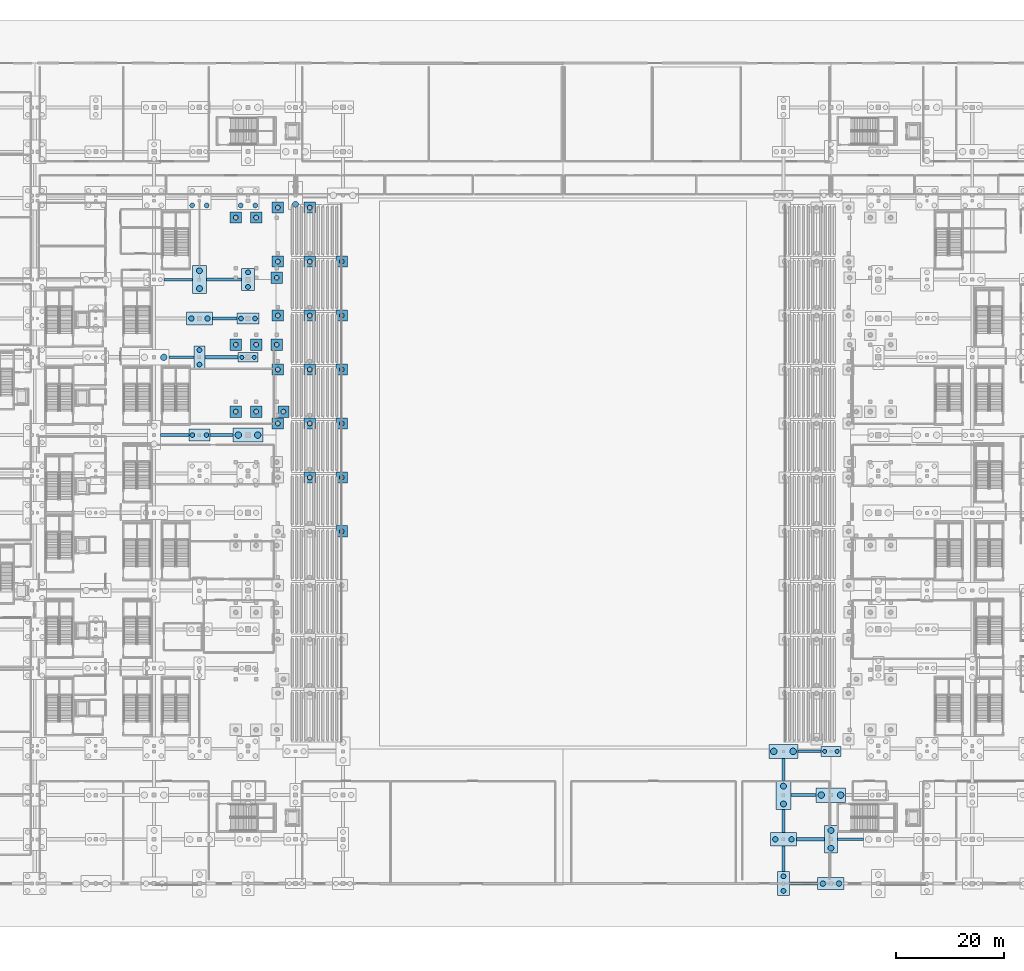
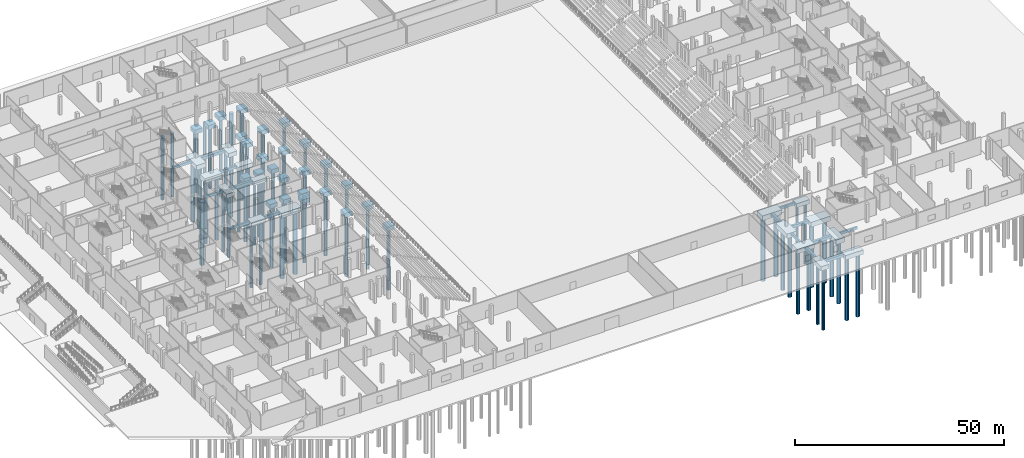
# One storey, part 6 of 89: 64 piles, 57 footings.
"""IFC4 building model written with IfcOpenShell, lengths in metres."""

import ifcopenshell
import ifcopenshell.guid

model = None  # the IFC model being written
_history = None  # IfcOwnerHistory: only IFC2X3 demands one
_inside = {}  # id of a spatial element -> (the spatial element, [elements in it])
_under = {}  # id of a project, library or spatial element -> (it, [spatial elements below it])
_declared = {}  # id of a project -> (the project, [libraries it declares])
_typed = {}  # id of a type object -> (the type object, [elements of that type])
_made_of = {}  # id of a material, layer set ... -> (it, [elements and type objects made of it])


def new_model(schema):
    """Start an empty IFC model of exactly this schema.

    Asked for "IFC4X3", IfcOpenShell would pick the latest addendum, in which some entities
    have other attributes; the version numbers below select the first issue.
    IFC2X3 requires an IfcOwnerHistory on every rooted entity: one is made here for all.
    """
    global model, _history
    if schema == "IFC4X3":
        model = ifcopenshell.file(schema_version=(4, 3, 0, 0))
    else:
        model = ifcopenshell.file(schema=schema)
    _inside.clear()
    _under.clear()
    _declared.clear()
    _typed.clear()
    _made_of.clear()
    _history = None
    if model.schema == "IFC2X3":
        org = make("IfcOrganization", Name="unknown")
        user = make(
            "IfcPersonAndOrganization",
            ThePerson=make("IfcPerson", FamilyName="unknown"),
            TheOrganization=org,
        )
        app = make(
            "IfcApplication",
            ApplicationDeveloper=org,
            Version="unknown",
            ApplicationFullName="unknown",
            ApplicationIdentifier="unknown",
        )
        _history = make(
            "IfcOwnerHistory",
            OwningUser=user,
            OwningApplication=app,
            ChangeAction="ADDED",
            CreationDate=0,
        )
    return model


def make(cls, **values):
    """One entity of the class cls with the attributes given. An attribute that is None is left unset."""
    return model.create_entity(
        cls, **{name: value for name, value in values.items() if value is not None}
    )


def rooted(cls, **values):
    """An entity with a GlobalId (a new one), such as an element, a storey or a relation."""
    return make(cls, GlobalId=ifcopenshell.guid.new(), OwnerHistory=_history, **values)


def si_unit(unit_type, name, prefix=None):
    """IfcSIUnit, for example si_unit("LENGTHUNIT", "METRE", prefix="MILLI")."""
    return make("IfcSIUnit", UnitType=unit_type, Prefix=prefix, Name=name)


def assignment(units):
    """IfcUnitAssignment: the units of a project."""
    return None if units is None else make("IfcUnitAssignment", Units=units)


def point(xyz):
    """IfcCartesianPoint."""
    return None if xyz is None else make("IfcCartesianPoint", Coordinates=xyz)


def direction(xyz):
    """IfcDirection."""
    return None if xyz is None else make("IfcDirection", DirectionRatios=xyz)


def frame(location, z_axis=None, x_axis=None):
    """IfcAxis2Placement3D, a coordinate frame: its origin and axes. An axis left out is left unset."""
    return make(
        "IfcAxis2Placement3D",
        Location=point(location),
        Axis=direction(z_axis),
        RefDirection=direction(x_axis),
    )


def frame_2d(location, x_axis=None):
    """IfcAxis2Placement2D, a coordinate frame in the plane: its origin and x axis."""
    return make(
        "IfcAxis2Placement2D", Location=point(location), RefDirection=direction(x_axis)
    )


def origin():
    """The frame at (0, 0, 0) with its axes left unset."""
    return frame((0.0, 0.0, 0.0))


def origin_2d():
    """The frame at (0, 0) in the plane with its x axis left unset."""
    return frame_2d((0.0, 0.0))


def place(relative_to, where):
    """IfcLocalPlacement: puts the frame where relative to a parent placement (None: the world)."""
    return make(
        "IfcLocalPlacement", PlacementRelTo=relative_to, RelativePlacement=where
    )


def context(
    kind, dimensions, precision=None, world=None, true_north=None, identifier=None
):
    """IfcGeometricRepresentationContext, for example the 3D "Model" context."""
    return make(
        "IfcGeometricRepresentationContext",
        ContextIdentifier=identifier,
        ContextType=kind,
        CoordinateSpaceDimension=dimensions,
        Precision=precision,
        WorldCoordinateSystem=world,
        TrueNorth=true_north,
    )


def subcontext(parent, identifier, kind, view, scale=None):
    """IfcGeometricRepresentationSubContext, for example "Body" below "Model"."""
    return make(
        "IfcGeometricRepresentationSubContext",
        ContextIdentifier=identifier,
        ContextType=kind,
        ParentContext=parent,
        TargetScale=scale,
        TargetView=view,
    )


def project(units=None, contexts=None):
    """IfcProject with its units and contexts."""
    return rooted(
        "IfcProject",
        Name="project",
        RepresentationContexts=contexts,
        UnitsInContext=assignment(units),
    )


def spatial(cls, under=None, at=None, **own):
    """A site, building, storey or space (cls), placed at a placement, below another one or the project."""
    s = rooted(cls, ObjectPlacement=at, **own)
    if under is not None:
        _under.setdefault(under.id(), (under, []))[1].append(s)
    return s


def profile(cls, at=None, kind="AREA", **sizes):
    """A parametric profile (cls). Its sizes go by their IFC names, for example OverallWidth=200.0."""
    return make(cls, ProfileType=kind, Position=at, **sizes)


def rectangle(**sizes):
    """IfcRectangleProfileDef."""
    return profile("IfcRectangleProfileDef", **sizes)


def circle(**sizes):
    """IfcCircleProfileDef."""
    return profile("IfcCircleProfileDef", **sizes)


def extrude(swept, where, along, depth):
    """IfcExtrudedAreaSolid: the profile swept, set in the frame where, extruded along a direction by depth."""
    return make(
        "IfcExtrudedAreaSolid",
        SweptArea=swept,
        Position=where,
        ExtrudedDirection=direction(along),
        Depth=depth,
    )


def shape(context_of_items, identifier, shape_type, items):
    """IfcShapeRepresentation: the items that make up one representation, for example the "Body"."""
    return make(
        "IfcShapeRepresentation",
        ContextOfItems=context_of_items,
        RepresentationIdentifier=identifier,
        RepresentationType=shape_type,
        Items=items,
    )


def material(Name=None, Category=None):
    """IfcMaterial."""
    return make("IfcMaterial", Name=Name, Category=Category)


def material_profile(
    of_material, cross_section, Name=None, Category=None, Priority=None
):
    """IfcMaterialProfile: a cross section and its material."""
    return make(
        "IfcMaterialProfile",
        Name=Name,
        Material=of_material,
        Profile=cross_section,
        Priority=Priority,
        Category=Category,
    )


def profile_set(profiles, Name=None, composite=None):
    """IfcMaterialProfileSet."""
    return make(
        "IfcMaterialProfileSet",
        Name=Name,
        MaterialProfiles=profiles,
        CompositeProfile=composite,
    )


def made_of(thing, what):
    """Note that an element or type object is made of a material, layer set ...; save() writes the relation."""
    if what is not None:
        _made_of.setdefault(what.id(), (what, []))[1].append(thing)
    return thing


def type_object(cls, material=None, **own):
    """A type object (cls), such as IfcWallType, which elements share."""
    return made_of(rooted(cls, **own), material)


def element(
    cls,
    number,
    at=None,
    inside=None,
    cuts=None,
    type_object=None,
    material=None,
    context=None,
    identifier="Body",
    shape_type=None,
    held_by="IfcProductDefinitionShape",
    body=None,
    shapes=None,
    **own,
):
    """One element of the class cls, such as IfcWall. Its Tag is "e" and its number.

    at: its placement. inside: the storey or other place that contains it. cuts: it is an
    opening in that element (IfcRelVoidsElement). A single representation is given by context,
    identifier, shape_type and body (its items); several are given by shapes. held_by: the class
    of the entity that holds the representations. save() writes the other relations.
    """
    e = rooted(cls, Tag="e%d" % number, ObjectPlacement=at, **own)
    if body is not None:
        shapes = [shape(context, identifier, shape_type, body)]
    if shapes is not None:
        e.Representation = make(held_by, Representations=shapes)
    if inside is not None:
        _inside.setdefault(inside.id(), (inside, []))[1].append(e)
    if cuts is not None:
        rooted(
            "IfcRelVoidsElement", RelatingBuildingElement=cuts, RelatedOpeningElement=e
        )
    if type_object is not None:
        _typed.setdefault(type_object.id(), (type_object, []))[1].append(e)
    return made_of(e, material)


def aggregate(whole, parts):
    """IfcRelAggregates: a whole, such as a stair, and the parts it consists of."""
    return rooted("IfcRelAggregates", RelatingObject=whole, RelatedObjects=parts)


def save(model, path):
    """Write the relations noted so far, then the file.

    IfcRelAggregates (storeys below a building ...), IfcRelContainedInSpatialStructure (elements
    in a storey), IfcRelDefinesByType, IfcRelAssociatesMaterial and IfcRelDeclares: one each for
    every whole, place, type object, material and project.
    """
    for whole, parts in _under.values():
        aggregate(whole, parts)
    for where, things in _inside.values():
        rooted(
            "IfcRelContainedInSpatialStructure",
            RelatedElements=things,
            RelatingStructure=where,
        )
    for kind, things in _typed.values():
        rooted("IfcRelDefinesByType", RelatedObjects=things, RelatingType=kind)
    for what, things in _made_of.values():
        rooted("IfcRelAssociatesMaterial", RelatedObjects=things, RelatingMaterial=what)
    for by, libraries in _declared.values():
        rooted("IfcRelDeclares", RelatingContext=by, RelatedDefinitions=libraries)
    model.write(path)


model = new_model("IFC4")

# Units and contexts
model_context = context("Model", 3, precision=1e-05, world=origin(), true_north=direction((0.0, 1.0)))
body_context = subcontext(model_context, "Body", "Model", "MODEL_VIEW")
ifc_project = project(units=[si_unit("LENGTHUNIT", "METRE"), si_unit("AREAUNIT", "SQUARE_METRE"), si_unit("VOLUMEUNIT", "CUBIC_METRE"), si_unit("PLANEANGLEUNIT", "RADIAN"), si_unit("MASSUNIT", "GRAM", prefix="KILO")], contexts=[model_context])

# Site, building, storey
site_placement = place(None, origin())
site = spatial("IfcSite", under=ifc_project, at=site_placement, CompositionType="ELEMENT")
building_placement = place(site_placement, origin())
building = spatial("IfcBuilding", under=site, at=building_placement, Name="Koshinbarg Plaza Stadium", CompositionType="ELEMENT")
storey_placement = place(building_placement, origin())
storey = spatial("IfcBuildingStorey", under=building, at=storey_placement, Name="L00", CompositionType="ELEMENT", Elevation=0.0)

# Footings
ifc_material = material(Name="Concrete C35/45", Category="concrete")
ifc_material_profile_1 = material_profile(ifc_material, rectangle(XDim=0.5, YDim=0.699951171875, at=origin_2d()), Name="GB 500x700")
ifc_profile_set_1 = profile_set([ifc_material_profile_1], Name="Concrete C35/45")
footing_type_1 = type_object("IfcFootingType", Name="FT-GB-01", PredefinedType="FOOTING_BEAM", material=ifc_profile_set_1)
footing_1_placement = place(storey_placement, frame((172.800048828125, 8.199951171875, -0.75), z_axis=(1.0, 0.0, 0.0), x_axis=(0.0, 1.0, 0.0)))
element("IfcFooting", 1, at=footing_1_placement, inside=storey, type_object=footing_type_1, Name="Ground footing beam GB-X-025", PredefinedType="FOOTING_BEAM", context=body_context, shape_type="SweptSolid", body=[
    extrude(rectangle(XDim=0.5, YDim=0.699951171875, at=origin_2d()), origin(), (0.0, 0.0, 1.0), 4.820068359375),
])
footing_2_placement = place(storey_placement, frame((165.5, 24.5, -0.75), z_axis=(1.0, 0.0, 0.0), x_axis=(0.0, 1.0, 0.0)))
element("IfcFooting", 2, at=footing_2_placement, inside=storey, type_object=footing_type_1, Name="Ground footing beam GB-X-055", PredefinedType="FOOTING_BEAM", context=body_context, shape_type="SweptSolid", body=[
    extrude(rectangle(XDim=0.5, YDim=0.699951171875, at=origin_2d()), origin(), (0.0, 0.0, 1.0), 4.27001953125),
])
footing_3_placement = place(storey_placement, frame((47.39990234375, 83.10009765625, -0.800048828125), z_axis=(1.0, 0.0, 0.0), x_axis=(0.0, 1.0, 0.0)))
element("IfcFooting", 3, at=footing_3_placement, inside=storey, type_object=footing_type_1, Name="Ground footing beam GB-X-111", PredefinedType="FOOTING_BEAM", context=body_context, shape_type="SweptSolid", body=[
    extrude(rectangle(XDim=0.5, YDim=0.699951171875, at=origin_2d()), origin(), (0.0, 0.0, 1.0), 5.25),
])
footing_4_placement = place(storey_placement, frame((48.93994140625, 97.5, -0.800048828125), z_axis=(1.0, 0.0, 0.0), x_axis=(0.0, 1.0, 0.0)))
element("IfcFooting", 4, at=footing_4_placement, inside=storey, type_object=footing_type_1, Name="Ground footing beam GB-X-121", PredefinedType="FOOTING_BEAM", context=body_context, shape_type="SweptSolid", body=[
    extrude(rectangle(XDim=0.5, YDim=0.699951171875, at=origin_2d()), origin(), (0.0, 0.0, 1.0), 4.6201171875),
])
footing_5_placement = place(storey_placement, frame((56.97998046875, 104.699951171875, -0.800048828125), z_axis=(1.0, 0.0, 0.0), x_axis=(0.0, 1.0, 0.0)))
element("IfcFooting", 5, at=footing_5_placement, inside=storey, type_object=footing_type_1, Name="Ground footing beam GB-X-131", PredefinedType="FOOTING_BEAM", context=body_context, shape_type="SweptSolid", body=[
    extrude(rectangle(XDim=0.5, YDim=0.699951171875, at=origin_2d()), origin(), (0.0, 0.0, 1.0), 4.550048828125),
])
footing_6_placement = place(storey_placement, frame((48.030029296875, 111.89990234375, -0.800048828125), z_axis=(1.0, 0.0, 0.0), x_axis=(0.0, 1.0, 0.0)))
element("IfcFooting", 6, at=footing_6_placement, inside=storey, type_object=footing_type_1, Name="Ground footing beam GB-X-139", PredefinedType="FOOTING_BEAM", context=body_context, shape_type="SweptSolid", body=[
    extrude(rectangle(XDim=0.5, YDim=0.699951171875, at=origin_2d()), origin(), (0.0, 0.0, 1.0), 5.25),
])
footing_7_placement = place(storey_placement, frame((162.800048828125, 9.4599609375, -0.75), z_axis=(0.0, 1.0, 0.0), x_axis=(-1.0, 0.0, 0.0)))
element("IfcFooting", 7, at=footing_7_placement, inside=storey, type_object=footing_type_1, Name="Ground footing beam GB-Y-237", PredefinedType="FOOTING_BEAM", context=body_context, shape_type="SweptSolid", body=[
    extrude(rectangle(XDim=0.5, YDim=0.699951171875, at=origin_2d()), origin(), (0.0, 0.0, 1.0), 4.280029296875),
])
ifc_material_profile_2 = material_profile(ifc_material, rectangle(XDim=0.60009765625, YDim=0.800048828125, at=origin_2d()), Name="GB 600x800")
ifc_profile_set_2 = profile_set([ifc_material_profile_2], Name="Concrete C35/45")
footing_type_2 = type_object("IfcFootingType", Name="FT-GB-02", PredefinedType="FOOTING_BEAM", material=ifc_profile_set_2)
footing_8_placement = place(storey_placement, frame((163.8798828125, 0.0, -0.800048828125), z_axis=(1.0, 0.0, 0.0), x_axis=(0.0, 1.0, 0.0)))
element("IfcFooting", 8, at=footing_8_placement, inside=storey, type_object=footing_type_2, Name="Ground footing beam GB-X-008", PredefinedType="FOOTING_BEAM", context=body_context, shape_type="SweptSolid", body=[
    extrude(rectangle(XDim=0.60009765625, YDim=0.800048828125, at=origin_2d()), origin(), (0.0, 0.0, 1.0), 5.260009765625),
])
footing_9_placement = place(storey_placement, frame((165.219970703125, 8.199951171875, -0.800048828125), z_axis=(1.0, 0.0, 0.0), x_axis=(0.0, 1.0, 0.0)))
element("IfcFooting", 9, at=footing_9_placement, inside=storey, type_object=footing_type_2, Name="Ground footing beam GB-X-024", PredefinedType="FOOTING_BEAM", context=body_context, shape_type="SweptSolid", body=[
    extrude(rectangle(XDim=0.60009765625, YDim=0.800048828125, at=origin_2d()), origin(), (0.0, 0.0, 1.0), 5.179931640625),
])
footing_10_placement = place(storey_placement, frame((164.159912109375, 16.39990234375, -0.800048828125), z_axis=(1.0, 0.0, 0.0), x_axis=(0.0, 1.0, 0.0)))
element("IfcFooting", 10, at=footing_10_placement, inside=storey, type_object=footing_type_2, Name="Ground footing beam GB-X-040", PredefinedType="FOOTING_BEAM", context=body_context, shape_type="SweptSolid", body=[
    extrude(rectangle(XDim=0.60009765625, YDim=0.800048828125, at=origin_2d()), origin(), (0.0, 0.0, 1.0), 4.7001953125),
])
footing_11_placement = place(storey_placement, frame((56.550048828125, 83.10009765625, -0.85009765625), z_axis=(1.0, 0.0, 0.0), x_axis=(0.0, 1.0, 0.0)))
element("IfcFooting", 11, at=footing_11_placement, inside=storey, type_object=footing_type_2, Name="Ground footing beam GB-X-112", PredefinedType="FOOTING_BEAM", context=body_context, shape_type="SweptSolid", body=[
    extrude(rectangle(XDim=0.60009765625, YDim=0.800048828125, at=origin_2d()), origin(), (0.0, 0.0, 1.0), 4.31005859375),
])
footing_12_placement = place(storey_placement, frame((55.639892578125, 97.5, -0.85009765625), z_axis=(1.0, 0.0, 0.0), x_axis=(0.0, 1.0, 0.0)))
element("IfcFooting", 12, at=footing_12_placement, inside=storey, type_object=footing_type_2, Name="Ground footing beam GB-X-122", PredefinedType="FOOTING_BEAM", context=body_context, shape_type="SweptSolid", body=[
    extrude(rectangle(XDim=0.60009765625, YDim=0.800048828125, at=origin_2d()), origin(), (0.0, 0.0, 1.0), 6.130126953125),
])
footing_13_placement = place(storey_placement, frame((55.919921875, 111.89990234375, -0.85009765625), z_axis=(1.0, 0.0, 0.0), x_axis=(0.0, 1.0, 0.0)))
element("IfcFooting", 13, at=footing_13_placement, inside=storey, type_object=footing_type_2, Name="Ground footing beam GB-X-140", PredefinedType="FOOTING_BEAM", context=body_context, shape_type="SweptSolid", body=[
    extrude(rectangle(XDim=0.60009765625, YDim=0.800048828125, at=origin_2d()), origin(), (0.0, 0.0, 1.0), 6.52001953125),
])
footing_14_placement = place(storey_placement, frame((162.800048828125, 2.2099609375, -0.800048828125), z_axis=(0.0, 1.0, 0.0), x_axis=(-1.0, 0.0, 0.0)))
element("IfcFooting", 14, at=footing_14_placement, inside=storey, type_object=footing_type_2, Name="Ground footing beam GB-Y-236", PredefinedType="FOOTING_BEAM", context=body_context, shape_type="SweptSolid", body=[
    extrude(rectangle(XDim=0.60009765625, YDim=0.800048828125, at=origin_2d()), origin(), (0.0, 0.0, 1.0), 4.72998046875),
])
footing_15_placement = place(storey_placement, frame((162.800048828125, 19.06005859375, -0.800048828125), z_axis=(0.0, 1.0, 0.0), x_axis=(-1.0, 0.0, 0.0)))
element("IfcFooting", 15, at=footing_15_placement, inside=storey, type_object=footing_type_2, Name="Ground footing beam GB-Y-238", PredefinedType="FOOTING_BEAM", context=body_context, shape_type="SweptSolid", body=[
    extrude(rectangle(XDim=0.60009765625, YDim=0.800048828125, at=origin_2d()), origin(), (0.0, 0.0, 1.0), 4.139892578125),
])
footing_type_3 = type_object("IfcFootingType", Name="FT-PC-208x426x125", PredefinedType="PILE_CAP", material=ifc_material)
footing_16_placement = place(storey_placement, frame((54.60009765625, 97.5, -1.699951171875), z_axis=(0.0, 0.0, 1.0), x_axis=(1.0, 0.0, 0.0)))
element("IfcFooting", 16, at=footing_16_placement, inside=storey, type_object=footing_type_3, Name="Bored pile cap CAP-087", PredefinedType="PILE_CAP", context=body_context, shape_type="SweptSolid", body=[
    extrude(rectangle(XDim=2.080078125, YDim=4.260009765625, at=origin_2d()), origin(), (0.0, 0.0, 1.0), 1.25),
])
footing_type_4 = type_object("IfcFootingType", Name="FT-PC-210x210x125", PredefinedType="PILE_CAP", material=ifc_material)
for number, where, z_axis, x_axis, name in (
    (17, (80.9599609375, 65.25, -1.699951171875), (0.0, 0.0, 1.0), (1.0, 0.0, 0.0), "Bowl raker pile cap LT-W04-R-F"),
    (18, (80.9599609375, 75.25, -1.699951171875), (0.0, 0.0, 1.0), (1.0, 0.0, 0.0), "Bowl raker pile cap LT-W05-R-F"),
    (19, (75.050048828125, 75.25, -1.699951171875), (0.0, 0.0, 1.0), (1.0, 0.0, 0.0), "Bowl raker pile cap LT-W05-R-M"),
    (20, (80.9599609375, 85.25, -1.699951171875), (0.0, 0.0, 1.0), (1.0, 0.0, 0.0), "Bowl raker pile cap LT-W06-R-F"),
    (21, (75.050048828125, 85.25, -1.699951171875), (0.0, 0.0, 1.0), (1.0, 0.0, 0.0), "Bowl raker pile cap LT-W06-R-M"),
    (22, (69.139892578125, 85.25, -1.699951171875), (0.0, 0.0, 1.0), (1.0, 0.0, 0.0), "Bowl raker pile cap LT-W06-R-B"),
    (23, (80.9599609375, 95.25, -1.699951171875), (0.0, 0.0, 1.0), (1.0, 0.0, 0.0), "Bowl raker pile cap LT-W07-R-F"),
    (24, (75.050048828125, 95.25, -1.699951171875), (0.0, 0.0, 1.0), (1.0, 0.0, 0.0), "Bowl raker pile cap LT-W07-R-M"),
    (25, (69.139892578125, 95.25, -1.699951171875), (0.0, 0.0, 1.0), (1.0, 0.0, 0.0), "Bowl raker pile cap LT-W07-R-B"),
    (26, (80.9599609375, 105.25, -1.699951171875), (0.0, 0.0, 1.0), (1.0, 0.0, 0.0), "Bowl raker pile cap LT-W08-R-F"),
    (27, (75.050048828125, 105.25, -1.699951171875), (0.0, 0.0, 1.0), (1.0, 0.0, 0.0), "Bowl raker pile cap LT-W08-R-M"),
    (28, (69.139892578125, 105.25, -1.699951171875), (0.0, 0.0, 1.0), (1.0, 0.0, 0.0), "Bowl raker pile cap LT-W08-R-B"),
    (29, (80.9599609375, 115.25, -1.699951171875), (0.0, 0.0, 1.0), (1.0, 0.0, 0.0), "Bowl raker pile cap LT-W09-R-F"),
    (30, (75.050048828125, 115.25, -1.699951171875), (0.0, 0.0, 1.0), (1.0, 0.0, 0.0), "Bowl raker pile cap LT-W09-R-M"),
    (31, (69.139892578125, 115.25, -1.699951171875), (0.0, 0.0, 1.0), (1.0, 0.0, 0.0), "Bowl raker pile cap LT-W09-R-B"),
    (32, (75.050048828125, 125.25, -1.699951171875), (0.0, 0.0, 1.0), (1.0, 0.0, 0.0), "Bowl raker pile cap LT-W10-R-M"),
    (33, (69.139892578125, 125.25, -1.699951171875), (0.0, 0.0, 1.0), (1.0, 0.0, 0.0), "Bowl raker pile cap LT-W10-R-B"),
    (34, (70.169921875, 87.449951171875, -1.699951171875), (0.0, 0.0, 1.0), (1.0, 0.0, 0.0), "Bowl raker pile cap UT-W05-R-CF"),
    (35, (65.10009765625, 87.449951171875, -1.699951171875), (0.0, 0.0, 1.0), (1.0, 0.0, 0.0), "Bowl raker pile cap UT-W05-R-CM"),
    (36, (61.340087890625, 87.449951171875, -1.699951171875), (0.0, 0.0, 1.0), (1.0, 0.0, 0.0), "Bowl raker pile cap UT-W05-R-CB"),
    (37, (68.919921875, 99.85009765625, -1.699951171875), (0.0, 0.0, 1.0), (1.0, 0.0, 0.0), "Bowl raker pile cap UT-W06-R-CF"),
    (38, (65.10009765625, 99.85009765625, -1.699951171875), (0.0, 0.0, 1.0), (1.0, 0.0, 0.0), "Bowl raker pile cap UT-W06-R-CM"),
    (39, (61.340087890625, 99.85009765625, -1.699951171875), (0.0, 0.0, 1.0), (1.0, 0.0, 0.0), "Bowl raker pile cap UT-W06-R-CB"),
    (40, (68.919921875, 112.25, -1.699951171875), (0.0, 0.0, 1.0), (1.0, 0.0, 0.0), "Bowl raker pile cap UT-W07-R-CF"),
    (41, (65.10009765625, 123.39990234375, -1.699951171875), (0.0, 0.0, 1.0), (1.0, 0.0, 0.0), "Bowl raker pile cap UT-W08-R-CM"),
    (42, (61.340087890625, 123.39990234375, -1.699951171875), (0.0, 0.0, 1.0), (1.0, 0.0, 0.0), "Bowl raker pile cap UT-W08-R-CB"),
):
    element("IfcFooting", number, at=place(storey_placement, frame(where, z_axis=z_axis, x_axis=x_axis)), inside=storey, type_object=footing_type_4, Name=name, PredefinedType="PILE_CAP", context=body_context, shape_type="SweptSolid", body=[
        extrude(rectangle(XDim=2.10009765625, YDim=2.10009765625, at=origin_2d()), origin(), (0.0, 0.0, 1.0), 1.25),
    ])
footing_type_5 = type_object("IfcFootingType", Name="FT-PC-216x442x125", PredefinedType="PILE_CAP", material=ifc_material)
footing_17_placement = place(storey_placement, frame((162.800048828125, 0.0, -1.64990234375), z_axis=(0.0, 0.0, 1.0), x_axis=(1.0, 0.0, 0.0)))
element("IfcFooting", 43, at=footing_17_placement, inside=storey, type_object=footing_type_5, Name="Bored pile cap CAP-123", PredefinedType="PILE_CAP", context=body_context, shape_type="SweptSolid", body=[
    extrude(rectangle(XDim=2.159912109375, YDim=4.419921875, at=origin_2d()), origin(), (0.0, 0.0, 1.0), 1.25),
])
footing_type_6 = type_object("IfcFootingType", Name="FT-PC-232x410x125", PredefinedType="PILE_CAP", material=ifc_material)
footing_18_placement = place(storey_placement, frame((63.60009765625, 111.89990234375, -1.699951171875), z_axis=(0.0, 0.0, 1.0), x_axis=(1.0, 0.0, 0.0)))
element("IfcFooting", 44, at=footing_18_placement, inside=storey, type_object=footing_type_6, Name="Bored pile cap CAP-105", PredefinedType="PILE_CAP", context=body_context, shape_type="SweptSolid", body=[
    extrude(rectangle(XDim=2.320068359375, YDim=4.10009765625, at=origin_2d()), origin(), (0.0, 0.0, 1.0), 1.25),
])
footing_type_7 = type_object("IfcFootingType", Name="FT-PC-240x508x135", PredefinedType="PILE_CAP", material=ifc_material)
footing_19_placement = place(storey_placement, frame((171.60009765625, 8.199951171875, -1.75), z_axis=(0.0, 0.0, 1.0), x_axis=(1.0, 0.0, 0.0)))
element("IfcFooting", 45, at=footing_19_placement, inside=storey, type_object=footing_type_7, Name="Bored pile cap CAP-131", PredefinedType="PILE_CAP", context=body_context, shape_type="SweptSolid", body=[
    extrude(rectangle(XDim=2.39990234375, YDim=5.080078125, at=origin_2d()), origin(), (0.0, 0.0, 1.0), 1.35009765625),
])
footing_type_8 = type_object("IfcFootingType", Name="FT-PC-264x516x135", PredefinedType="PILE_CAP", material=ifc_material)
footing_20_placement = place(storey_placement, frame((54.60009765625, 111.89990234375, -1.800048828125), z_axis=(0.0, 0.0, 1.0), x_axis=(1.0, 0.0, 0.0)))
element("IfcFooting", 46, at=footing_20_placement, inside=storey, type_object=footing_type_8, Name="Bored pile cap CAP-089", PredefinedType="PILE_CAP", context=body_context, shape_type="SweptSolid", body=[
    extrude(rectangle(XDim=2.639892578125, YDim=5.159912109375, at=origin_2d()), origin(), (0.0, 0.0, 1.0), 1.35009765625),
])
footing_type_9 = type_object("IfcFootingType", Name="FT-PC-272x532x135", PredefinedType="PILE_CAP", material=ifc_material)
footing_21_placement = place(storey_placement, frame((162.800048828125, 16.39990234375, -1.75), z_axis=(0.0, 0.0, 1.0), x_axis=(1.0, 0.0, 0.0)))
element("IfcFooting", 47, at=footing_21_placement, inside=storey, type_object=footing_type_9, Name="Bored pile cap CAP-125", PredefinedType="PILE_CAP", context=body_context, shape_type="SweptSolid", body=[
    extrude(rectangle(XDim=2.719970703125, YDim=5.320068359375, at=origin_2d()), origin(), (0.0, 0.0, 1.0), 1.35009765625),
])
footing_type_10 = type_object("IfcFootingType", Name="FT-PC-366x180x120", PredefinedType="PILE_CAP", material=ifc_material)
footing_22_placement = place(storey_placement, frame((63.60009765625, 97.5, -1.64990234375), z_axis=(0.0, 0.0, 1.0), x_axis=(1.0, 0.0, 0.0)))
element("IfcFooting", 48, at=footing_22_placement, inside=storey, type_object=footing_type_10, Name="Bored pile cap CAP-103", PredefinedType="PILE_CAP", context=body_context, shape_type="SweptSolid", body=[
    extrude(rectangle(XDim=3.659912109375, YDim=1.800048828125, at=origin_2d()), origin(), (0.0, 0.0, 1.0), 1.199951171875),
])
footing_type_11 = type_object("IfcFootingType", Name="FT-PC-366x188x120", PredefinedType="PILE_CAP", material=ifc_material)
footing_23_placement = place(storey_placement, frame((171.60009765625, 24.5, -1.60009765625), z_axis=(0.0, 0.0, 1.0), x_axis=(1.0, 0.0, 0.0)))
element("IfcFooting", 49, at=footing_23_placement, inside=storey, type_object=footing_type_11, Name="Bored pile cap CAP-133", PredefinedType="PILE_CAP", context=body_context, shape_type="SweptSolid", body=[
    extrude(rectangle(XDim=3.659912109375, YDim=1.8798828125, at=origin_2d()), origin(), (0.0, 0.0, 1.0), 1.199951171875),
])
footing_type_12 = type_object("IfcFootingType", Name="FT-PC-390x216x125", PredefinedType="PILE_CAP", material=ifc_material)
footing_24_placement = place(storey_placement, frame((54.60009765625, 83.10009765625, -1.699951171875), z_axis=(0.0, 0.0, 1.0), x_axis=(1.0, 0.0, 0.0)))
element("IfcFooting", 50, at=footing_24_placement, inside=storey, type_object=footing_type_12, Name="Bored pile cap CAP-086", PredefinedType="PILE_CAP", context=body_context, shape_type="SweptSolid", body=[
    extrude(rectangle(XDim=3.89990234375, YDim=2.159912109375, at=origin_2d()), origin(), (0.0, 0.0, 1.0), 1.25),
])
footing_type_13 = type_object("IfcFootingType", Name="FT-PC-414x200x125", PredefinedType="PILE_CAP", material=ifc_material)
footing_25_placement = place(storey_placement, frame((63.60009765625, 104.699951171875, -1.699951171875), z_axis=(0.0, 0.0, 1.0), x_axis=(1.0, 0.0, 0.0)))
element("IfcFooting", 51, at=footing_25_placement, inside=storey, type_object=footing_type_13, Name="Bored pile cap CAP-104", PredefinedType="PILE_CAP", context=body_context, shape_type="SweptSolid", body=[
    extrude(rectangle(XDim=4.139892578125, YDim=2.0, at=origin_2d()), origin(), (0.0, 0.0, 1.0), 1.25),
])
footing_type_14 = type_object("IfcFootingType", Name="FT-PC-476x236x130", PredefinedType="PILE_CAP", material=ifc_material)
footing_26_placement = place(storey_placement, frame((54.60009765625, 104.699951171875, -1.75), z_axis=(0.0, 0.0, 1.0), x_axis=(1.0, 0.0, 0.0)))
element("IfcFooting", 52, at=footing_26_placement, inside=storey, type_object=footing_type_14, Name="Bored pile cap CAP-088", PredefinedType="PILE_CAP", context=body_context, shape_type="SweptSolid", body=[
    extrude(rectangle(XDim=4.760009765625, YDim=2.360107421875, at=origin_2d()), origin(), (0.0, 0.0, 1.0), 1.300048828125),
])
footing_type_15 = type_object("IfcFootingType", Name="FT-PC-484x252x130", PredefinedType="PILE_CAP", material=ifc_material)
footing_27_placement = place(storey_placement, frame((162.800048828125, 8.199951171875, -1.7001953125), z_axis=(0.0, 0.0, 1.0), x_axis=(1.0, 0.0, 0.0)))
element("IfcFooting", 53, at=footing_27_placement, inside=storey, type_object=footing_type_15, Name="Bored pile cap CAP-124", PredefinedType="PILE_CAP", context=body_context, shape_type="SweptSolid", body=[
    extrude(rectangle(XDim=4.840087890625, YDim=2.52001953125, at=origin_2d()), origin(), (0.0, 0.0, 1.0), 1.300048828125),
])
footing_type_16 = type_object("IfcFootingType", Name="FT-PC-492x220x130", PredefinedType="PILE_CAP", material=ifc_material)
footing_28_placement = place(storey_placement, frame((171.60009765625, 0.0, -1.7001953125), z_axis=(0.0, 0.0, 1.0), x_axis=(1.0, 0.0, 0.0)))
element("IfcFooting", 54, at=footing_28_placement, inside=storey, type_object=footing_type_16, Name="Bored pile cap CAP-130", PredefinedType="PILE_CAP", context=body_context, shape_type="SweptSolid", body=[
    extrude(rectangle(XDim=4.919921875, YDim=2.199951171875, at=origin_2d()), origin(), (0.0, 0.0, 1.0), 1.300048828125),
])
footing_type_17 = type_object("IfcFootingType", Name="FT-PC-540x260x140", PredefinedType="PILE_CAP", material=ifc_material)
footing_29_placement = place(storey_placement, frame((162.800048828125, 24.5, -1.800048828125), z_axis=(0.0, 0.0, 1.0), x_axis=(1.0, 0.0, 0.0)))
element("IfcFooting", 55, at=footing_29_placement, inside=storey, type_object=footing_type_17, Name="Bored pile cap CAP-126", PredefinedType="PILE_CAP", context=body_context, shape_type="SweptSolid", body=[
    extrude(rectangle(XDim=5.39990234375, YDim=2.60009765625, at=origin_2d()), origin(), (0.0, 0.0, 1.0), 1.39990234375),
])
footing_type_18 = type_object("IfcFootingType", Name="FT-PC-548x260x140", PredefinedType="PILE_CAP", material=ifc_material)
footing_30_placement = place(storey_placement, frame((63.60009765625, 83.10009765625, -1.849853515625), z_axis=(0.0, 0.0, 1.0), x_axis=(1.0, 0.0, 0.0)))
element("IfcFooting", 56, at=footing_30_placement, inside=storey, type_object=footing_type_18, Name="Bored pile cap CAP-102", PredefinedType="PILE_CAP", context=body_context, shape_type="SweptSolid", body=[
    extrude(rectangle(XDim=5.47998046875, YDim=2.60009765625, at=origin_2d()), origin(), (0.0, 0.0, 1.0), 1.39990234375),
])
footing_type_19 = type_object("IfcFootingType", Name="FT-PC-548x268x140", PredefinedType="PILE_CAP", material=ifc_material)
footing_31_placement = place(storey_placement, frame((171.60009765625, 16.39990234375, -1.800048828125), z_axis=(0.0, 0.0, 1.0), x_axis=(1.0, 0.0, 0.0)))
element("IfcFooting", 57, at=footing_31_placement, inside=storey, type_object=footing_type_19, Name="Bored pile cap CAP-132", PredefinedType="PILE_CAP", context=body_context, shape_type="SweptSolid", body=[
    extrude(rectangle(XDim=5.47998046875, YDim=2.679931640625, at=origin_2d()), origin(), (0.0, 0.0, 1.0), 1.39990234375),
])

# Piles
ifc_material_profile_3 = material_profile(ifc_material, circle(Radius=0.5, at=origin_2d()), Name="PILE D1000")
ifc_profile_set_3 = profile_set([ifc_material_profile_3], Name="Concrete C35/45")
pile_type_1 = type_object("IfcPileType", Name="PL-D1000", PredefinedType="BORED", material=ifc_profile_set_3)
for number, where, z_axis, x_axis, name in (
    (58, (53.10009765625, 104.699951171875, -1.64990234375), (0.0, 0.0, -1.0), (1.0, 0.0, 0.0), "Bored pile CAP-088-1"),
    (59, (56.10009765625, 104.699951171875, -1.64990234375), (0.0, 0.0, -1.0), (1.0, 0.0, 0.0), "Bored pile CAP-088-2"),
    (60, (161.300048828125, 8.199951171875, -1.60009765625), (0.0, 0.0, -1.0), (1.0, 0.0, 0.0), "Bored pile CAP-124-1"),
    (61, (164.300048828125, 8.199951171875, -1.60009765625), (0.0, 0.0, -1.0), (1.0, 0.0, 0.0), "Bored pile CAP-124-2"),
    (62, (170.10009765625, 0.0, -1.60009765625), (0.0, 0.0, -1.0), (1.0, 0.0, 0.0), "Bored pile CAP-130-1"),
    (63, (173.10009765625, 0.0, -1.60009765625), (0.0, 0.0, -1.0), (1.0, 0.0, 0.0), "Bored pile CAP-130-2"),
):
    element("IfcPile", number, at=place(storey_placement, frame(where, z_axis=z_axis, x_axis=x_axis)), inside=storey, type_object=pile_type_1, Name=name, PredefinedType="BORED", context=body_context, shape_type="SweptSolid", body=[
        extrude(circle(Radius=0.5, at=origin_2d()), origin(), (0.0, 0.0, 1.0), 18.5),
    ])
ifc_material_profile_4 = material_profile(ifc_material, circle(Radius=0.550048828125, at=origin_2d()), Name="PILE D1100")
ifc_profile_set_4 = profile_set([ifc_material_profile_4], Name="Concrete C35/45")
pile_type_2 = type_object("IfcPileType", Name="PL-D1100", PredefinedType="BORED", material=ifc_profile_set_4)
for number, where, z_axis, x_axis, name in (
    (64, (54.60009765625, 110.25, -1.699951171875), (0.0, 0.0, -1.0), (1.0, 0.0, 0.0), "Bored pile CAP-089-1"),
    (65, (54.60009765625, 113.550048828125, -1.699951171875), (0.0, 0.0, -1.0), (1.0, 0.0, 0.0), "Bored pile CAP-089-2"),
    (66, (72.39990234375, 125.85009765625, -1.64990234375), (0.0, 0.0, -1.0), (1.0, 0.0, 0.0), "Bored pile CAP-113-1"),
    (67, (162.800048828125, 14.75, -1.64990234375), (0.0, 0.0, -1.0), (1.0, 0.0, 0.0), "Bored pile CAP-125-1"),
    (68, (162.800048828125, 18.050048828125, -1.64990234375), (0.0, 0.0, -1.0), (1.0, 0.0, 0.0), "Bored pile CAP-125-2"),
    (69, (171.60009765625, 6.550048828125, -1.64990234375), (0.0, 0.0, -1.0), (1.0, 0.0, 0.0), "Bored pile CAP-131-1"),
    (70, (171.60009765625, 9.85009765625, -1.64990234375), (0.0, 0.0, -1.0), (1.0, 0.0, 0.0), "Bored pile CAP-131-2"),
):
    element("IfcPile", number, at=place(storey_placement, frame(where, z_axis=z_axis, x_axis=x_axis)), inside=storey, type_object=pile_type_2, Name=name, PredefinedType="BORED", context=body_context, shape_type="SweptSolid", body=[
        extrude(circle(Radius=0.550048828125, at=origin_2d()), origin(), (0.0, 0.0, 1.0), 18.0),
    ])
ifc_material_profile_5 = material_profile(ifc_material, circle(Radius=0.60009765625, at=origin_2d()), Name="PILE D1200")
ifc_profile_set_5 = profile_set([ifc_material_profile_5], Name="Concrete C35/45")
pile_type_3 = type_object("IfcPileType", Name="PL-D1200", PredefinedType="BORED", material=ifc_profile_set_5)
for number, where, z_axis, x_axis, name in (
    (71, (48.0, 97.5, -1.75), (0.0, 0.0, -1.0), (1.0, 0.0, 0.0), "Bored pile CAP-072-2"),
    (72, (61.800048828125, 83.10009765625, -1.75), (0.0, 0.0, -1.0), (1.0, 0.0, 0.0), "Bored pile CAP-102-1"),
    (73, (65.39990234375, 83.10009765625, -1.75), (0.0, 0.0, -1.0), (1.0, 0.0, 0.0), "Bored pile CAP-102-2"),
    (74, (161.0, 24.5, -1.699951171875), (0.0, 0.0, -1.0), (1.0, 0.0, 0.0), "Bored pile CAP-126-1"),
    (75, (164.60009765625, 24.5, -1.699951171875), (0.0, 0.0, -1.0), (1.0, 0.0, 0.0), "Bored pile CAP-126-2"),
    (76, (169.800048828125, 16.39990234375, -1.699951171875), (0.0, 0.0, -1.0), (1.0, 0.0, 0.0), "Bored pile CAP-132-1"),
    (77, (173.39990234375, 16.39990234375, -1.699951171875), (0.0, 0.0, -1.0), (1.0, 0.0, 0.0), "Bored pile CAP-132-2"),
):
    element("IfcPile", number, at=place(storey_placement, frame(where, z_axis=z_axis, x_axis=x_axis)), inside=storey, type_object=pile_type_3, Name=name, PredefinedType="BORED", context=body_context, shape_type="SweptSolid", body=[
        extrude(circle(Radius=0.60009765625, at=origin_2d()), origin(), (0.0, 0.0, 1.0), 18.5),
    ])
ifc_material_profile_6 = material_profile(ifc_material, circle(Radius=0.375, at=origin_2d()), Name="PILE D750")
ifc_profile_set_6 = profile_set([ifc_material_profile_6], Name="Concrete C35/45")
pile_type_4 = type_object("IfcPileType", Name="PL-D750", PredefinedType="BORED", material=ifc_profile_set_6)
for number, where, z_axis, x_axis, name in (
    (78, (62.449951171875, 97.5, -1.550048828125), (0.0, 0.0, -1.0), (1.0, 0.0, 0.0), "Bored pile CAP-103-1"),
    (79, (64.75, 97.5, -1.550048828125), (0.0, 0.0, -1.0), (1.0, 0.0, 0.0), "Bored pile CAP-103-2"),
    (80, (170.449951171875, 24.5, -1.5), (0.0, 0.0, -1.0), (1.0, 0.0, 0.0), "Bored pile CAP-133-1"),
    (81, (172.75, 24.5, -1.5), (0.0, 0.0, -1.0), (1.0, 0.0, 0.0), "Bored pile CAP-133-2"),
):
    element("IfcPile", number, at=place(storey_placement, frame(where, z_axis=z_axis, x_axis=x_axis)), inside=storey, type_object=pile_type_4, Name=name, PredefinedType="BORED", context=body_context, shape_type="SweptSolid", body=[
        extrude(circle(Radius=0.375, at=origin_2d()), origin(), (0.0, 0.0, 1.0), 18.0),
    ])
ifc_material_profile_7 = material_profile(ifc_material, circle(Radius=0.425048828125, at=origin_2d()), Name="PILE D850")
ifc_profile_set_7 = profile_set([ifc_material_profile_7], Name="Concrete C35/45")
pile_type_5 = type_object("IfcPileType", Name="PL-D850", PredefinedType="BORED", material=ifc_profile_set_7)
for number, where, z_axis, x_axis, name in (
    (82, (53.300048828125, 83.10009765625, -1.60009765625), (0.0, 0.0, -1.0), (1.0, 0.0, 0.0), "Bored pile CAP-086-1"),
    (83, (55.89990234375, 83.10009765625, -1.60009765625), (0.0, 0.0, -1.0), (1.0, 0.0, 0.0), "Bored pile CAP-086-2"),
    (84, (62.300048828125, 104.699951171875, -1.60009765625), (0.0, 0.0, -1.0), (1.0, 0.0, 0.0), "Bored pile CAP-104-1"),
    (85, (64.89990234375, 104.699951171875, -1.60009765625), (0.0, 0.0, -1.0), (1.0, 0.0, 0.0), "Bored pile CAP-104-2"),
):
    element("IfcPile", number, at=place(storey_placement, frame(where, z_axis=z_axis, x_axis=x_axis)), inside=storey, type_object=pile_type_5, Name=name, PredefinedType="BORED", context=body_context, shape_type="SweptSolid", body=[
        extrude(circle(Radius=0.425048828125, at=origin_2d()), origin(), (0.0, 0.0, 1.0), 18.5),
    ])
ifc_material_profile_8 = material_profile(ifc_material, circle(Radius=0.449951171875, at=origin_2d()), Name="PILE D900")
ifc_profile_set_8 = profile_set([ifc_material_profile_8], Name="Concrete C35/45")
pile_type_6 = type_object("IfcPileType", Name="PL-D900", PredefinedType="BORED", material=ifc_profile_set_8)
for number, where, z_axis, x_axis, name in (
    (86, (54.60009765625, 96.14990234375, -1.60009765625), (0.0, 0.0, -1.0), (1.0, 0.0, 0.0), "Bored pile CAP-087-1"),
    (87, (54.60009765625, 98.85009765625, -1.60009765625), (0.0, 0.0, -1.0), (1.0, 0.0, 0.0), "Bored pile CAP-087-2"),
):
    element("IfcPile", number, at=place(storey_placement, frame(where, z_axis=z_axis, x_axis=x_axis)), inside=storey, type_object=pile_type_6, Name=name, PredefinedType="BORED", context=body_context, shape_type="SweptSolid", body=[
        extrude(circle(Radius=0.449951171875, at=origin_2d()), origin(), (0.0, 0.0, 1.0), 18.0),
    ])
for number, where, z_axis, x_axis, name in (
    (88, (53.25, 125.64990234375, -1.64990234375), (0.0, 0.0, -1.0), (1.0, 0.0, 0.0), "Bored pile CAP-090-1"),
    (89, (55.949951171875, 125.64990234375, -1.64990234375), (0.0, 0.0, -1.0), (1.0, 0.0, 0.0), "Bored pile CAP-090-2"),
):
    element("IfcPile", number, at=place(storey_placement, frame(where, z_axis=z_axis, x_axis=x_axis)), inside=storey, type_object=pile_type_6, Name=name, PredefinedType="BORED", context=body_context, shape_type="SweptSolid", body=[
        extrude(circle(Radius=0.449951171875, at=origin_2d()), origin(), (0.0, 0.0, 1.0), 18.5),
    ])
for number, where, z_axis, x_axis, name in (
    (90, (63.60009765625, 110.550048828125, -1.60009765625), (0.0, 0.0, -1.0), (1.0, 0.0, 0.0), "Bored pile CAP-105-1"),
    (91, (63.60009765625, 113.25, -1.60009765625), (0.0, 0.0, -1.0), (1.0, 0.0, 0.0), "Bored pile CAP-105-2"),
):
    element("IfcPile", number, at=place(storey_placement, frame(where, z_axis=z_axis, x_axis=x_axis)), inside=storey, type_object=pile_type_6, Name=name, PredefinedType="BORED", context=body_context, shape_type="SweptSolid", body=[
        extrude(circle(Radius=0.449951171875, at=origin_2d()), origin(), (0.0, 0.0, 1.0), 18.0),
    ])
for number, where, z_axis, x_axis, name in (
    (92, (62.25, 125.64990234375, -1.699951171875), (0.0, 0.0, -1.0), (1.0, 0.0, 0.0), "Bored pile CAP-106-1"),
    (93, (64.949951171875, 125.64990234375, -1.699951171875), (0.0, 0.0, -1.0), (1.0, 0.0, 0.0), "Bored pile CAP-106-2"),
):
    element("IfcPile", number, at=place(storey_placement, frame(where, z_axis=z_axis, x_axis=x_axis)), inside=storey, type_object=pile_type_6, Name=name, PredefinedType="BORED", context=body_context, shape_type="SweptSolid", body=[
        extrude(circle(Radius=0.449951171875, at=origin_2d()), origin(), (0.0, 0.0, 1.0), 18.5),
    ])
for number, where, z_axis, x_axis, name in (
    (94, (162.800048828125, -1.35009765625, -1.550048828125), (0.0, 0.0, -1.0), (1.0, 0.0, 0.0), "Bored pile CAP-123-1"),
    (95, (162.800048828125, 1.35009765625, -1.550048828125), (0.0, 0.0, -1.0), (1.0, 0.0, 0.0), "Bored pile CAP-123-2"),
    (96, (80.9599609375, 65.25, -1.60009765625), (0.0, 0.0, -1.0), (1.0, 0.0, 0.0), "Bowl raker bored pile LT-W04-R-F"),
    (97, (80.9599609375, 75.25, -1.60009765625), (0.0, 0.0, -1.0), (1.0, 0.0, 0.0), "Bowl raker bored pile LT-W05-R-F"),
    (98, (75.050048828125, 75.25, -1.60009765625), (0.0, 0.0, -1.0), (1.0, 0.0, 0.0), "Bowl raker bored pile LT-W05-R-M"),
    (99, (80.9599609375, 85.25, -1.60009765625), (0.0, 0.0, -1.0), (1.0, 0.0, 0.0), "Bowl raker bored pile LT-W06-R-F"),
    (100, (75.050048828125, 85.25, -1.60009765625), (0.0, 0.0, -1.0), (1.0, 0.0, 0.0), "Bowl raker bored pile LT-W06-R-M"),
    (101, (69.139892578125, 85.25, -1.60009765625), (0.0, 0.0, -1.0), (1.0, 0.0, 0.0), "Bowl raker bored pile LT-W06-R-B"),
    (102, (80.9599609375, 95.25, -1.60009765625), (0.0, 0.0, -1.0), (1.0, 0.0, 0.0), "Bowl raker bored pile LT-W07-R-F"),
    (103, (75.050048828125, 95.25, -1.60009765625), (0.0, 0.0, -1.0), (1.0, 0.0, 0.0), "Bowl raker bored pile LT-W07-R-M"),
    (104, (69.139892578125, 95.25, -1.60009765625), (0.0, 0.0, -1.0), (1.0, 0.0, 0.0), "Bowl raker bored pile LT-W07-R-B"),
    (105, (80.9599609375, 105.25, -1.60009765625), (0.0, 0.0, -1.0), (1.0, 0.0, 0.0), "Bowl raker bored pile LT-W08-R-F"),
    (106, (75.050048828125, 105.25, -1.60009765625), (0.0, 0.0, -1.0), (1.0, 0.0, 0.0), "Bowl raker bored pile LT-W08-R-M"),
    (107, (69.139892578125, 105.25, -1.60009765625), (0.0, 0.0, -1.0), (1.0, 0.0, 0.0), "Bowl raker bored pile LT-W08-R-B"),
    (108, (80.9599609375, 115.25, -1.60009765625), (0.0, 0.0, -1.0), (1.0, 0.0, 0.0), "Bowl raker bored pile LT-W09-R-F"),
    (109, (75.050048828125, 115.25, -1.60009765625), (0.0, 0.0, -1.0), (1.0, 0.0, 0.0), "Bowl raker bored pile LT-W09-R-M"),
    (110, (69.139892578125, 115.25, -1.60009765625), (0.0, 0.0, -1.0), (1.0, 0.0, 0.0), "Bowl raker bored pile LT-W09-R-B"),
    (111, (75.050048828125, 125.25, -1.60009765625), (0.0, 0.0, -1.0), (1.0, 0.0, 0.0), "Bowl raker bored pile LT-W10-R-M"),
    (112, (69.139892578125, 125.25, -1.60009765625), (0.0, 0.0, -1.0), (1.0, 0.0, 0.0), "Bowl raker bored pile LT-W10-R-B"),
    (113, (70.169921875, 87.449951171875, -1.60009765625), (0.0, 0.0, -1.0), (1.0, 0.0, 0.0), "Bowl raker bored pile UT-W05-R-CF"),
    (114, (65.10009765625, 87.449951171875, -1.60009765625), (0.0, 0.0, -1.0), (1.0, 0.0, 0.0), "Bowl raker bored pile UT-W05-R-CM"),
    (115, (61.340087890625, 87.449951171875, -1.60009765625), (0.0, 0.0, -1.0), (1.0, 0.0, 0.0), "Bowl raker bored pile UT-W05-R-CB"),
    (116, (68.919921875, 99.85009765625, -1.60009765625), (0.0, 0.0, -1.0), (1.0, 0.0, 0.0), "Bowl raker bored pile UT-W06-R-CF"),
    (117, (65.10009765625, 99.85009765625, -1.60009765625), (0.0, 0.0, -1.0), (1.0, 0.0, 0.0), "Bowl raker bored pile UT-W06-R-CM"),
    (118, (61.340087890625, 99.85009765625, -1.60009765625), (0.0, 0.0, -1.0), (1.0, 0.0, 0.0), "Bowl raker bored pile UT-W06-R-CB"),
    (119, (68.919921875, 112.25, -1.60009765625), (0.0, 0.0, -1.0), (1.0, 0.0, 0.0), "Bowl raker bored pile UT-W07-R-CF"),
    (120, (65.10009765625, 123.39990234375, -1.60009765625), (0.0, 0.0, -1.0), (1.0, 0.0, 0.0), "Bowl raker bored pile UT-W08-R-CM"),
    (121, (61.340087890625, 123.39990234375, -1.60009765625), (0.0, 0.0, -1.0), (1.0, 0.0, 0.0), "Bowl raker bored pile UT-W08-R-CB"),
):
    element("IfcPile", number, at=place(storey_placement, frame(where, z_axis=z_axis, x_axis=x_axis)), inside=storey, type_object=pile_type_6, Name=name, PredefinedType="BORED", context=body_context, shape_type="SweptSolid", body=[
        extrude(circle(Radius=0.449951171875, at=origin_2d()), origin(), (0.0, 0.0, 1.0), 18.0),
    ])

save(model, "model.ifc")
